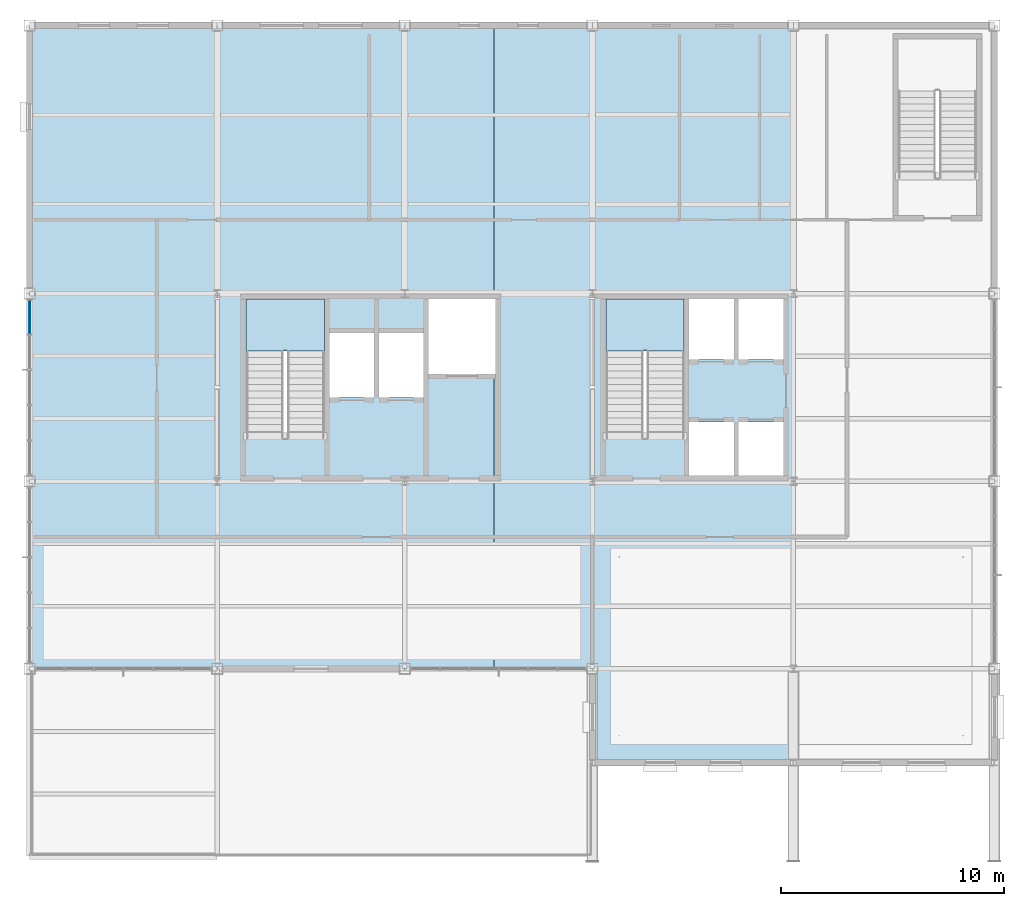
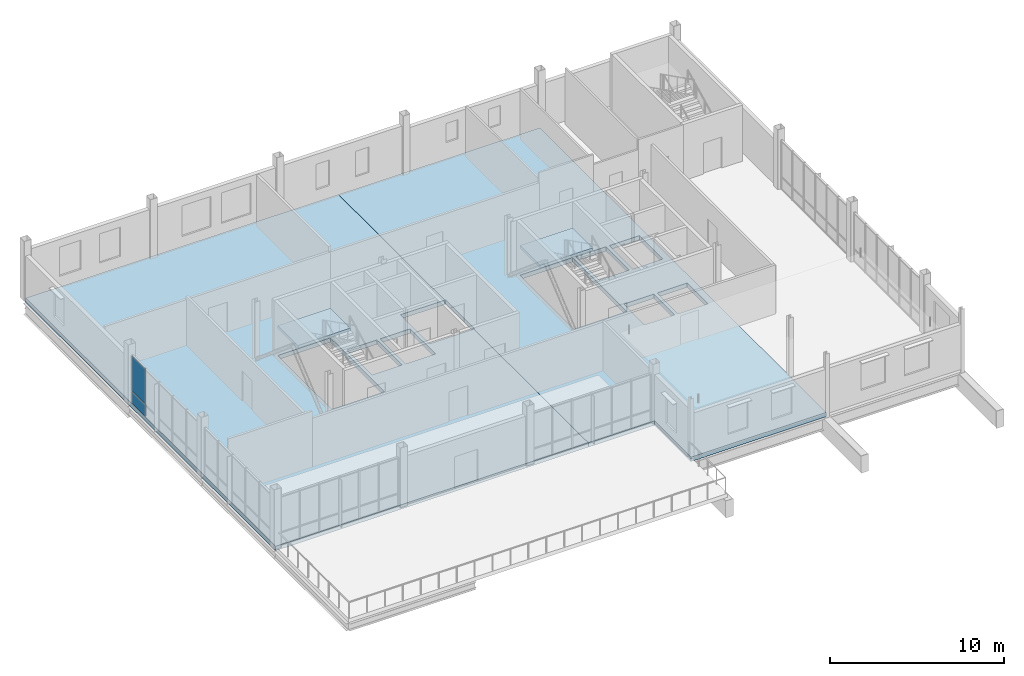
# One storey, part 11 of 22: 4 slabs, 2 plates, 3 elements without a shape of their own.
"""IFC4 building model written with IfcOpenShell, lengths in metres."""

from ifc_helpers import new_model, si_unit, direction, frame, origin, origin_2d, place, context, subcontext, project, spatial, polyline, rectangle, outline, extrude, material, layer, layer_set, type_object, element, aggregate, save


model = new_model("IFC4")

# Units and contexts
model_context = context("Model", 3, precision=1e-05, world=origin(), true_north=direction((0.0, 1.0)))
body_context = subcontext(model_context, "Body", "Model", "MODEL_VIEW")
ifc_project = project(units=[si_unit("LENGTHUNIT", "METRE"), si_unit("AREAUNIT", "SQUARE_METRE"), si_unit("VOLUMEUNIT", "CUBIC_METRE"), si_unit("PLANEANGLEUNIT", "RADIAN"), si_unit("MASSUNIT", "GRAM", prefix="KILO")], contexts=[model_context])

# Site, building, storey
site_placement = place(None, origin())
site = spatial("IfcSite", under=ifc_project, at=site_placement, CompositionType="ELEMENT")
building_placement = place(site_placement, origin())
building = spatial("IfcBuilding", under=site, at=building_placement, Name="Yukiwa Park Conservatory and Herbarium", CompositionType="ELEMENT")
storey_placement = place(building_placement, frame((0.0, 0.0, 35.39990234375)))
storey = spatial("IfcBuildingStorey", under=building, at=storey_placement, Name="L09", CompositionType="ELEMENT", Elevation=35.39990234375)

# Curtain wall, plates
ifc_material_1 = material(Name="Triple Low-E Insulated Glass", Category="glass")
ifc_layer_1 = layer(ifc_material_1, 0.260009765625)
ifc_layer_set_1 = layer_set([ifc_layer_1], Name="Triple Low-E Insulated Glass")
curtain_wall_type = type_object("IfcCurtainWallType", Name="CW-TOWER-LAB-W-1500", PredefinedType="NOTDEFINED", material=ifc_layer_set_1)
curtain_wall_placement = place(storey_placement, origin())
curtain_wall = element("IfcCurtainWall", 1, at=curtain_wall_placement, inside=storey, type_object=curtain_wall_type, Name="L09 unitised curtain wall CW-L09-101", PredefinedType="NOTDEFINED")
ifc_material_2 = material(Name="Triple Low-E Insulated Glass", Category="glass")
ifc_layer_2 = layer(ifc_material_2, 0.035888671875)
ifc_layer_set_2 = layer_set([ifc_layer_2], Name="Triple Low-E Insulated Glass")
plate_type_1 = type_object("IfcPlateType", Name="PL-CW-GLZ-36", PredefinedType="CURTAIN_PANEL", material=ifc_layer_set_2)
plate_1_placement = place(storey_placement, frame((124.800048828125, 102.159912109375, 0.93505859375), z_axis=(0.0, 0.0, 1.0), x_axis=(0.0, -1.0, 0.0)))
plate_1 = element("IfcPlate", 2, at=plate_1_placement, type_object=plate_type_1, Name="CW-L09-101 vision panel 1.2", PredefinedType="CURTAIN_PANEL", context=body_context, shape_type="SweptSolid", body=[
    extrude(rectangle(XDim=1.510009765625, YDim=0.035888671875, at=origin_2d()), origin(), (0.0, 0.0, 1.0), 2.443115234375),
])
ifc_material_3 = material(Name="Anodised Aluminium", Category="aluminium")
ifc_layer_3 = layer(ifc_material_3, 0.044921875)
ifc_layer_set_3 = layer_set([ifc_layer_3], Name="Anodised Aluminium")
plate_type_2 = type_object("IfcPlateType", Name="PL-CW-SPN-45", PredefinedType="CURTAIN_PANEL", material=ifc_layer_set_3)
plate_2_placement = place(storey_placement, frame((124.800048828125, 102.159912109375, 0.070068359375), z_axis=(0.0, 0.0, 1.0), x_axis=(0.0, -1.0, 0.0)))
plate_2 = element("IfcPlate", 3, at=plate_2_placement, type_object=plate_type_2, Name="CW-L09-101 spandrel panel 1.1", PredefinedType="CURTAIN_PANEL", context=body_context, shape_type="SweptSolid", body=[
    extrude(rectangle(XDim=1.510009765625, YDim=0.044921875, at=origin_2d()), origin(), (0.0, 0.0, 1.0), 0.794921875),
])
aggregate(curtain_wall, [plate_2, plate_1])

# Slabs
ifc_material_4 = material(Name="Concrete C40", Category="concrete")
ifc_layer_4 = layer(ifc_material_4, 0.304931640625)
ifc_layer_set_4 = layer_set([ifc_layer_4], Name="Concrete C40")
slab_type_1 = type_object("IfcSlabType", Name="SL-FLR-305", PredefinedType="FLOOR", material=ifc_layer_set_4)
slab_1_placement = place(storey_placement, frame((0.0, 0.0, -0.304931640625)))
element("IfcSlab", 4, at=slab_1_placement, inside=storey, type_object=slab_type_1, Name="L09 composite structural floor slab V5W", PredefinedType="FLOOR", context=body_context, shape_type="SweptSolid", body=[
    extrude(outline(polyline([(124.800048828125, 115.199951171875), (145.60009765625, 115.199951171875), (145.60009765625, 102.949951171875), (142.659912109375, 102.949951171875), (142.659912109375, 99.60009765625), (145.60009765625, 99.60009765625), (145.60009765625, 86.39990234375), (124.800048828125, 86.39990234375), (124.800048828125, 115.199951171875)]), holes=[polyline([(134.489990234375, 102.949951171875), (134.489990234375, 96.72998046875), (138.0, 96.72998046875), (138.0, 102.949951171875), (134.489990234375, 102.949951171875)]), polyline([(140.219970703125, 101.43994140625), (138.219970703125, 101.43994140625), (138.219970703125, 98.5400390625), (140.219970703125, 98.5400390625), (140.219970703125, 101.43994140625)]), polyline([(140.43994140625, 101.43994140625), (140.43994140625, 98.5400390625), (142.43994140625, 98.5400390625), (142.43994140625, 101.43994140625), (140.43994140625, 101.43994140625)])]), origin(), (0.0, 0.0, 1.0), 0.304931640625),
])
slab_2_placement = place(storey_placement, frame((0.0, 0.0, -0.304931640625)))
element("IfcSlab", 5, at=slab_2_placement, inside=storey, type_object=slab_type_1, Name="L09 composite structural floor slab V5C", PredefinedType="FLOOR", context=body_context, shape_type="SweptSolid", body=[
    extrude(outline(polyline([(150.0, 86.39990234375), (145.60009765625, 86.39990234375), (145.60009765625, 99.60009765625), (145.659912109375, 99.60009765625), (145.659912109375, 102.949951171875), (145.60009765625, 102.949951171875), (145.60009765625, 115.199951171875), (159.0, 115.199951171875), (159.0, 82.199951171875), (150.0, 82.199951171875), (150.0, 86.39990234375)]), holes=[polyline([(154.330078125, 97.449951171875), (154.330078125, 95.050048828125), (156.330078125, 95.050048828125), (156.330078125, 97.449951171875), (154.330078125, 97.449951171875)]), polyline([(156.550048828125, 97.449951171875), (156.550048828125, 95.050048828125), (158.550048828125, 95.050048828125), (158.550048828125, 97.449951171875), (156.550048828125, 97.449951171875)]), polyline([(154.110107421875, 102.949951171875), (150.60009765625, 102.949951171875), (150.60009765625, 96.72998046875), (154.110107421875, 96.72998046875), (154.110107421875, 102.949951171875)]), polyline([(154.330078125, 102.949951171875), (154.330078125, 100.25), (156.330078125, 100.25), (156.330078125, 102.949951171875), (154.330078125, 102.949951171875)]), polyline([(158.550048828125, 102.949951171875), (156.550048828125, 102.949951171875), (156.550048828125, 100.25), (158.550048828125, 100.25), (158.550048828125, 102.949951171875)])]), origin(), (0.0, 0.0, 1.0), 0.304931640625),
])

# Stair, slab
ifc_material_5 = material(Name="Concrete C40", Category="concrete")
stair_type_1 = type_object("IfcStairType", Name="ST-DOGLEG-ST-T1", PredefinedType="HALF_TURN_STAIR", material=ifc_material_5)
stair_1_placement = place(storey_placement, origin())
stair_1 = element("IfcStair", 6, at=stair_1_placement, inside=storey, type_object=stair_type_1, Name="L09 Protected Smoke-Proof Stair ST-T1", PredefinedType="HALF_TURN_STAIR")
ifc_material_6 = material(Name="Concrete C40", Category="concrete")
ifc_layer_5 = layer(ifc_material_6, 0.199951171875)
ifc_layer_set_5 = layer_set([ifc_layer_5], Name="Concrete C40")
slab_type_2 = type_object("IfcSlabType", Name="SL-LANDING-220", PredefinedType="LANDING", material=ifc_layer_set_5)
slab_3_placement = place(storey_placement, frame((0.0, 0.0, 1.900146484375)))
slab_3 = element("IfcSlab", 7, at=slab_3_placement, type_object=slab_type_2, Name="ST-T1 landing 1", PredefinedType="LANDING", context=body_context, shape_type="SweptSolid", body=[
    extrude(outline(polyline([(138.0, 100.6298828125), (138.0, 102.949951171875), (134.489990234375, 102.949951171875), (134.489990234375, 100.6298828125), (138.0, 100.6298828125)])), origin(), (0.0, 0.0, 1.0), 0.199951171875),
])
aggregate(stair_1, [slab_3])

ifc_material_7 = material(Name="Concrete C40", Category="concrete")
stair_type_2 = type_object("IfcStairType", Name="ST-DOGLEG-ST-T2", PredefinedType="HALF_TURN_STAIR", material=ifc_material_7)
stair_2_placement = place(storey_placement, origin())
stair_2 = element("IfcStair", 8, at=stair_2_placement, inside=storey, type_object=stair_type_2, Name="L09 Protected Smoke-Proof Stair ST-T2", PredefinedType="HALF_TURN_STAIR")
slab_4_placement = place(storey_placement, frame((0.0, 0.0, 1.900146484375)))
slab_4 = element("IfcSlab", 9, at=slab_4_placement, type_object=slab_type_2, Name="ST-T2 landing 1", PredefinedType="LANDING", context=body_context, shape_type="SweptSolid", body=[
    extrude(outline(polyline([(154.110107421875, 100.6298828125), (154.110107421875, 102.949951171875), (150.60009765625, 102.949951171875), (150.60009765625, 100.6298828125), (154.110107421875, 100.6298828125)])), origin(), (0.0, 0.0, 1.0), 0.199951171875),
])
aggregate(stair_2, [slab_4])

save(model, "model.ifc")
